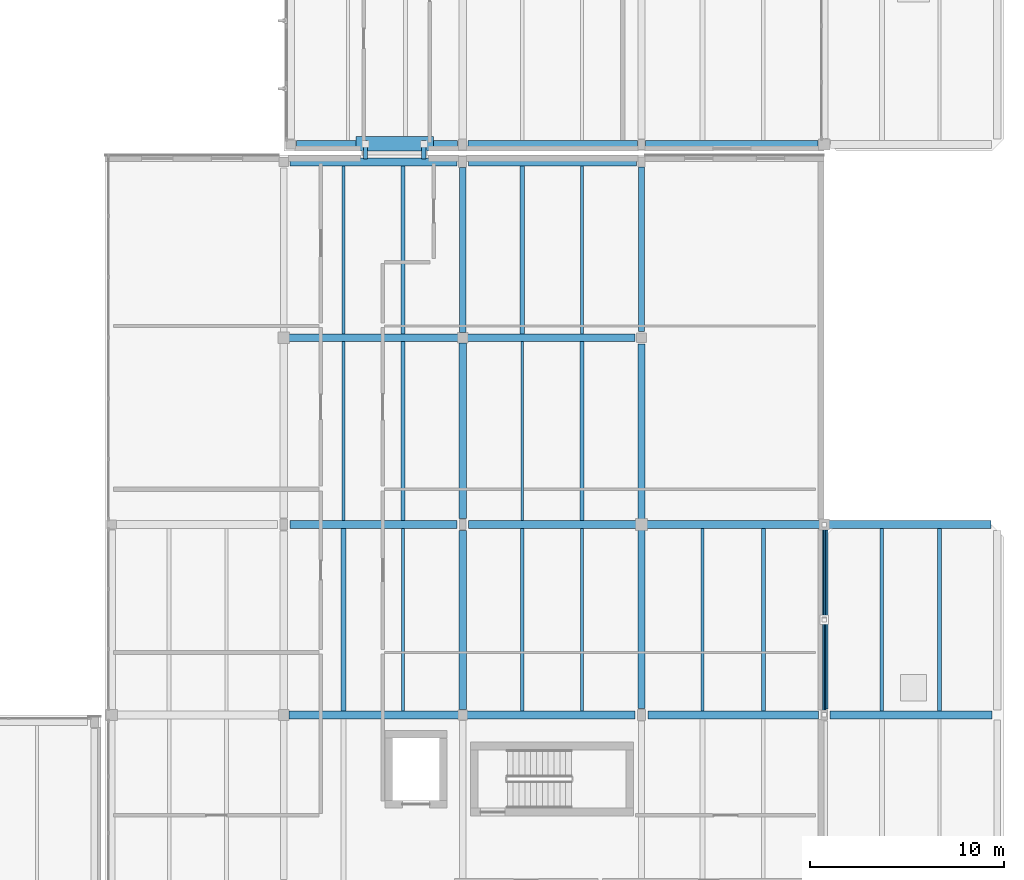
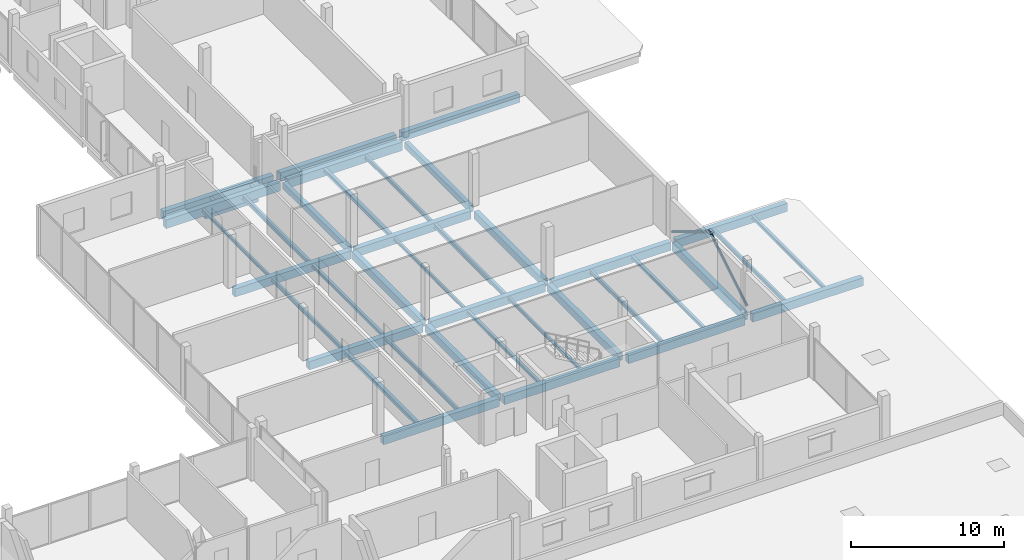
# One storey, part 26 of 66: 41 beams, 2 members.
"""IFC4 building model written with IfcOpenShell, lengths in metres."""

from ifc_helpers import new_model, si_unit, direction, frame, origin, origin_2d, place, context, subcontext, project, spatial, rectangle, hollow_circle, i_section, extrude, material, material_profile, profile_set, type_object, element, save


model = new_model("IFC4")

# Units and contexts
model_context = context("Model", 3, precision=1e-05, world=origin(), true_north=direction((0.0, 1.0)))
body_context = subcontext(model_context, "Body", "Model", "MODEL_VIEW")
ifc_project = project(units=[si_unit("LENGTHUNIT", "METRE"), si_unit("AREAUNIT", "SQUARE_METRE"), si_unit("VOLUMEUNIT", "CUBIC_METRE"), si_unit("PLANEANGLEUNIT", "RADIAN"), si_unit("MASSUNIT", "GRAM", prefix="KILO")], contexts=[model_context])

# Site, building, storey
site_placement = place(None, origin())
site = spatial("IfcSite", under=ifc_project, at=site_placement, CompositionType="ELEMENT")
building_placement = place(site_placement, origin())
building = spatial("IfcBuilding", under=site, at=building_placement, Name="Birchvale Park Specialist Clinic", CompositionType="ELEMENT")
storey_placement = place(building_placement, frame((0.0, 0.0, 5.39990234375)))
storey = spatial("IfcBuildingStorey", under=building, at=storey_placement, Name="L01", CompositionType="ELEMENT", Elevation=5.39990234375)

# Beams
ifc_material_1 = material(Name="Concrete C40/50", Category="concrete")
ifc_material_profile_1 = material_profile(ifc_material_1, rectangle(XDim=0.39990234375, YDim=0.68994140625, at=origin_2d()), Name="RCB-400x690")
ifc_profile_set_1 = profile_set([ifc_material_profile_1], Name="Concrete C40/50")
beam_type_1 = type_object("IfcBeamType", Name="BM-EXT-BG4", PredefinedType="BEAM", material=ifc_profile_set_1)
beam_1_placement = place(storey_placement, frame((128.31494140625, 63.050048828125, -0.64501953125), z_axis=(1.0, 0.0, 0.0), x_axis=(0.0, 1.0, 0.0)))
element("IfcBeam", 1, at=beam_1_placement, inside=storey, type_object=beam_type_1, Name="V5 L01 X girder 33", PredefinedType="BEAM", context=body_context, shape_type="SweptSolid", body=[
    extrude(rectangle(XDim=0.39990234375, YDim=0.68994140625, at=origin_2d()), origin(), (0.0, 0.0, 1.0), 8.594970703125),
])
beam_2_placement = place(storey_placement, frame((137.489990234375, 63.050048828125, -0.64501953125), z_axis=(1.0, 0.0, 0.0), x_axis=(0.0, 1.0, 0.0)))
element("IfcBeam", 2, at=beam_2_placement, inside=storey, type_object=beam_type_1, Name="V5 L01 X girder 34", PredefinedType="BEAM", context=body_context, shape_type="SweptSolid", body=[
    extrude(rectangle(XDim=0.39990234375, YDim=0.68994140625, at=origin_2d()), origin(), (0.0, 0.0, 1.0), 8.64501953125),
])
beam_3_placement = place(storey_placement, frame((128.639892578125, 63.949951171875, -0.64501953125), z_axis=(1.0, 0.0, 0.0), x_axis=(0.0, 1.0, 0.0)))
element("IfcBeam", 3, at=beam_3_placement, inside=storey, type_object=beam_type_1, Name="V6 L01 X girder 1", PredefinedType="BEAM", context=body_context, shape_type="SweptSolid", body=[
    extrude(rectangle(XDim=0.39990234375, YDim=0.68994140625, at=origin_2d()), origin(), (0.0, 0.0, 1.0), 8.295166015625),
])
beam_4_placement = place(storey_placement, frame((137.465087890625, 63.949951171875, -0.64501953125), z_axis=(1.0, 0.0, 0.0), x_axis=(0.0, 1.0, 0.0)))
element("IfcBeam", 4, at=beam_4_placement, inside=storey, type_object=beam_type_1, Name="V6 L01 X girder 2", PredefinedType="BEAM", context=body_context, shape_type="SweptSolid", body=[
    extrude(rectangle(XDim=0.39990234375, YDim=0.68994140625, at=origin_2d()), origin(), (0.0, 0.0, 1.0), 8.724853515625),
])
beam_5_placement = place(storey_placement, frame((146.610107421875, 63.949951171875, -0.64501953125), z_axis=(1.0, 0.0, 0.0), x_axis=(0.0, 1.0, 0.0)))
element("IfcBeam", 5, at=beam_5_placement, inside=storey, type_object=beam_type_1, Name="V6 L01 X girder 3", PredefinedType="BEAM", context=body_context, shape_type="SweptSolid", body=[
    extrude(rectangle(XDim=0.39990234375, YDim=0.68994140625, at=origin_2d()), origin(), (0.0, 0.0, 1.0), 8.875),
])
ifc_material_profile_2 = material_profile(ifc_material_1, rectangle(XDim=0.3798828125, YDim=0.639892578125, at=origin_2d()), Name="RCB-380x640")
ifc_profile_set_2 = profile_set([ifc_material_profile_2], Name="Concrete C40/50")
beam_type_2 = type_object("IfcBeamType", Name="BM-EXT-BG5", PredefinedType="BEAM", material=ifc_profile_set_2)
beam_6_placement = place(storey_placement, frame((155.800048828125, 34.89990234375, -0.619873046875), z_axis=(0.0, 1.0, 0.0), x_axis=(-1.0, 0.0, 0.0)))
element("IfcBeam", 6, at=beam_6_placement, inside=storey, type_object=beam_type_2, Name="V5 L01 Y girder 65", PredefinedType="BEAM", context=body_context, shape_type="SweptSolid", body=[
    extrude(rectangle(XDim=0.3798828125, YDim=0.639892578125, at=origin_2d()), origin(), (0.0, 0.0, 1.0), 9.22509765625),
])
ifc_material_profile_3 = material_profile(ifc_material_1, rectangle(XDim=0.760009765625, YDim=0.889892578125, at=origin_2d()), Name="RCB-760x890")
ifc_profile_set_3 = profile_set([ifc_material_profile_3], Name="Concrete C40/50")
beam_type_3 = type_object("IfcBeamType", Name="BM-EXT-RB2", PredefinedType="BEAM", material=ifc_profile_set_3)
beam_7_placement = place(storey_placement, frame((131.699951171875, 63.97998046875, -1.431884765625), z_axis=(1.0, 0.0, 0.0), x_axis=(0.0, 1.0, 0.0)))
element("IfcBeam", 7, at=beam_7_placement, inside=storey, type_object=beam_type_3, Name="L01 seismic joint RC corbel seat 760 mm BRG-4", PredefinedType="BEAM", context=body_context, shape_type="SweptSolid", body=[
    extrude(rectangle(XDim=0.760009765625, YDim=0.889892578125, at=origin_2d()), origin(), (0.0, 0.0, 1.0), 4.0),
])
ifc_material_profile_4 = material_profile(ifc_material_1, rectangle(XDim=0.39990234375, YDim=0.64990234375, at=origin_2d()), Name="RCB-400x650")
ifc_profile_set_4 = profile_set([ifc_material_profile_4], Name="Concrete C40/50")
beam_type_4 = type_object("IfcBeamType", Name="BM-INT-BG4", PredefinedType="BEAM", material=ifc_profile_set_4)
beam_8_placement = place(storey_placement, frame((128.27490234375, 34.60009765625, -0.625), z_axis=(1.0, 0.0, 0.0), x_axis=(0.0, 1.0, 0.0)))
element("IfcBeam", 8, at=beam_8_placement, inside=storey, type_object=beam_type_4, Name="V5 L01 X girder 22", PredefinedType="BEAM", context=body_context, shape_type="SweptSolid", body=[
    extrude(rectangle(XDim=0.39990234375, YDim=0.64990234375, at=origin_2d()), origin(), (0.0, 0.0, 1.0), 8.72509765625),
])
beam_9_placement = place(storey_placement, frame((137.39990234375, 34.60009765625, -0.625), z_axis=(1.0, 0.0, 0.0), x_axis=(0.0, 1.0, 0.0)))
element("IfcBeam", 9, at=beam_9_placement, inside=storey, type_object=beam_type_4, Name="V5 L01 X girder 23", PredefinedType="BEAM", context=body_context, shape_type="SweptSolid", body=[
    extrude(rectangle(XDim=0.39990234375, YDim=0.64990234375, at=origin_2d()), origin(), (0.0, 0.0, 1.0), 8.675048828125),
])
beam_10_placement = place(storey_placement, frame((146.72509765625, 34.60009765625, -0.625), z_axis=(1.0, 0.0, 0.0), x_axis=(0.0, 1.0, 0.0)))
element("IfcBeam", 10, at=beam_10_placement, inside=storey, type_object=beam_type_4, Name="V5 L01 X girder 24", PredefinedType="BEAM", context=body_context, shape_type="SweptSolid", body=[
    extrude(rectangle(XDim=0.39990234375, YDim=0.64990234375, at=origin_2d()), origin(), (0.0, 0.0, 1.0), 8.77490234375),
])
beam_11_placement = place(storey_placement, frame((156.10009765625, 34.60009765625, -0.599853515625), z_axis=(1.0, 0.0, 0.0), x_axis=(0.0, 1.0, 0.0)))
element("IfcBeam", 11, at=beam_11_placement, inside=storey, type_object=beam_type_4, Name="V5 L01 X girder 25", PredefinedType="BEAM", context=body_context, shape_type="SweptSolid", body=[
    extrude(rectangle(XDim=0.39990234375, YDim=0.64990234375, at=origin_2d()), origin(), (0.0, 0.0, 1.0), 8.3349609375),
])
beam_12_placement = place(storey_placement, frame((128.324951171875, 44.39990234375, -0.625), z_axis=(1.0, 0.0, 0.0), x_axis=(0.0, 1.0, 0.0)))
element("IfcBeam", 12, at=beam_12_placement, inside=storey, type_object=beam_type_4, Name="V5 L01 X girder 27", PredefinedType="BEAM", context=body_context, shape_type="SweptSolid", body=[
    extrude(rectangle(XDim=0.39990234375, YDim=0.64990234375, at=origin_2d()), origin(), (0.0, 0.0, 1.0), 8.574951171875),
])
beam_13_placement = place(storey_placement, frame((137.5, 44.39990234375, -0.625), z_axis=(1.0, 0.0, 0.0), x_axis=(0.0, 1.0, 0.0)))
element("IfcBeam", 13, at=beam_13_placement, inside=storey, type_object=beam_type_4, Name="V5 L01 X girder 28", PredefinedType="BEAM", context=body_context, shape_type="SweptSolid", body=[
    extrude(rectangle(XDim=0.39990234375, YDim=0.64990234375, at=origin_2d()), origin(), (0.0, 0.0, 1.0), 8.625),
])
beam_14_placement = place(storey_placement, frame((146.675048828125, 44.39990234375, -0.625), z_axis=(1.0, 0.0, 0.0), x_axis=(0.0, 1.0, 0.0)))
element("IfcBeam", 14, at=beam_14_placement, inside=storey, type_object=beam_type_4, Name="V5 L01 X girder 29", PredefinedType="BEAM", context=body_context, shape_type="SweptSolid", body=[
    extrude(rectangle(XDim=0.39990234375, YDim=0.64990234375, at=origin_2d()), origin(), (0.0, 0.0, 1.0), 8.925048828125),
])
beam_15_placement = place(storey_placement, frame((156.0, 44.39990234375, -0.599853515625), z_axis=(1.0, 0.0, 0.0), x_axis=(0.0, 1.0, 0.0)))
element("IfcBeam", 15, at=beam_15_placement, inside=storey, type_object=beam_type_4, Name="V5 L01 X girder 30", PredefinedType="BEAM", context=body_context, shape_type="SweptSolid", body=[
    extrude(rectangle(XDim=0.39990234375, YDim=0.64990234375, at=origin_2d()), origin(), (0.0, 0.0, 1.0), 8.385009765625),
])
beam_16_placement = place(storey_placement, frame((128.27490234375, 54.0, -0.625), z_axis=(1.0, 0.0, 0.0), x_axis=(0.0, 1.0, 0.0)))
element("IfcBeam", 16, at=beam_16_placement, inside=storey, type_object=beam_type_4, Name="V5 L01 X girder 31", PredefinedType="BEAM", context=body_context, shape_type="SweptSolid", body=[
    extrude(rectangle(XDim=0.39990234375, YDim=0.64990234375, at=origin_2d()), origin(), (0.0, 0.0, 1.0), 8.72509765625),
])
beam_17_placement = place(storey_placement, frame((137.39990234375, 54.0, -0.625), z_axis=(1.0, 0.0, 0.0), x_axis=(0.0, 1.0, 0.0)))
element("IfcBeam", 17, at=beam_17_placement, inside=storey, type_object=beam_type_4, Name="V5 L01 X girder 32", PredefinedType="BEAM", context=body_context, shape_type="SweptSolid", body=[
    extrude(rectangle(XDim=0.39990234375, YDim=0.64990234375, at=origin_2d()), origin(), (0.0, 0.0, 1.0), 8.675048828125),
])
ifc_material_profile_5 = material_profile(ifc_material_1, rectangle(XDim=0.3798828125, YDim=0.60009765625, at=origin_2d()), Name="RCB-380x600")
ifc_profile_set_5 = profile_set([ifc_material_profile_5], Name="Concrete C40/50")
beam_type_5 = type_object("IfcBeamType", Name="BM-INT-BG5", PredefinedType="BEAM", material=ifc_profile_set_5)
beam_18_placement = place(storey_placement, frame((137.199951171875, 34.875, -0.599853515625), z_axis=(0.0, 1.0, 0.0), x_axis=(-1.0, 0.0, 0.0)))
element("IfcBeam", 18, at=beam_18_placement, inside=storey, type_object=beam_type_5, Name="V5 L01 Y girder 51", PredefinedType="BEAM", context=body_context, shape_type="SweptSolid", body=[
    extrude(rectangle(XDim=0.3798828125, YDim=0.60009765625, at=origin_2d()), origin(), (0.0, 0.0, 1.0), 9.22509765625),
])
beam_19_placement = place(storey_placement, frame((137.199951171875, 44.699951171875, -0.599853515625), z_axis=(0.0, 1.0, 0.0), x_axis=(-1.0, 0.0, 0.0)))
element("IfcBeam", 19, at=beam_19_placement, inside=storey, type_object=beam_type_5, Name="V5 L01 Y girder 52", PredefinedType="BEAM", context=body_context, shape_type="SweptSolid", body=[
    extrude(rectangle(XDim=0.3798828125, YDim=0.60009765625, at=origin_2d()), origin(), (0.0, 0.0, 1.0), 9.025146484375),
])
beam_20_placement = place(storey_placement, frame((146.39990234375, 34.925048828125, -0.599853515625), z_axis=(0.0, 1.0, 0.0), x_axis=(-1.0, 0.0, 0.0)))
element("IfcBeam", 20, at=beam_20_placement, inside=storey, type_object=beam_type_5, Name="V5 L01 Y girder 58", PredefinedType="BEAM", context=body_context, shape_type="SweptSolid", body=[
    extrude(rectangle(XDim=0.3798828125, YDim=0.60009765625, at=origin_2d()), origin(), (0.0, 0.0, 1.0), 9.199951171875),
])
beam_21_placement = place(storey_placement, frame((146.39990234375, 44.675048828125, -0.599853515625), z_axis=(0.0, 1.0, 0.0), x_axis=(-1.0, 0.0, 0.0)))
element("IfcBeam", 21, at=beam_21_placement, inside=storey, type_object=beam_type_5, Name="V5 L01 Y girder 59", PredefinedType="BEAM", context=body_context, shape_type="SweptSolid", body=[
    extrude(rectangle(XDim=0.3798828125, YDim=0.60009765625, at=origin_2d()), origin(), (0.0, 0.0, 1.0), 9.0),
])
ifc_material_profile_6 = material_profile(ifc_material_1, rectangle(XDim=0.320068359375, YDim=0.5, at=origin_2d()), Name="RCB-320x500")
ifc_profile_set_6 = profile_set([ifc_material_profile_6], Name="Concrete C40/50")
beam_type_6 = type_object("IfcBeamType", Name="BM-INT-BG7", PredefinedType="BEAM", material=ifc_profile_set_6)
beam_22_placement = place(storey_placement, frame((137.199951171875, 54.27490234375, -0.5498046875), z_axis=(0.0, 1.0, 0.0), x_axis=(-1.0, 0.0, 0.0)))
element("IfcBeam", 22, at=beam_22_placement, inside=storey, type_object=beam_type_6, Name="V5 L01 Y girder 53", PredefinedType="BEAM", context=body_context, shape_type="SweptSolid", body=[
    extrude(rectangle(XDim=0.320068359375, YDim=0.5, at=origin_2d()), origin(), (0.0, 0.0, 1.0), 8.485107421875),
])
beam_23_placement = place(storey_placement, frame((146.39990234375, 54.324951171875, -0.5498046875), z_axis=(0.0, 1.0, 0.0), x_axis=(-1.0, 0.0, 0.0)))
element("IfcBeam", 23, at=beam_23_placement, inside=storey, type_object=beam_type_6, Name="V5 L01 Y girder 60", PredefinedType="BEAM", context=body_context, shape_type="SweptSolid", body=[
    extrude(rectangle(XDim=0.320068359375, YDim=0.5, at=origin_2d()), origin(), (0.0, 0.0, 1.0), 8.4599609375),
])

# Members
ifc_material_2 = material(Name="Steel EN 10210 S355", Category="steel")
ifc_material_profile_7 = material_profile(ifc_material_2, hollow_circle(Radius=0.096923828125, WallThickness=0.008056640625, at=origin_2d()), Name="CHS193.7X8")
ifc_profile_set_7 = profile_set([ifc_material_profile_7], Name="Steel EN 10210 S355")
member_type = type_object("IfcMemberType", Name="MEM-BR3", PredefinedType="BRACE", material=ifc_profile_set_7)
for number, where, z_axis, x_axis, name in (
    (24, (155.800048828125, 34.625732421875, 0.36572265625), (0.0, 0.855185685249, 0.518321756966), (-1.0, 0.0, 0.0), "V5 L01 chevron steel brace 10.1"),
    (25, (155.800048828125, 44.374267578125, 0.36572265625), (0.0, -0.855185685249, 0.518321756966), (1.0, 0.0, 0.0), "V5 L01 chevron steel brace 10.2"),
):
    element("IfcMember", number, at=place(storey_placement, frame(where, z_axis=z_axis, x_axis=x_axis)), inside=storey, type_object=member_type, Name=name, PredefinedType="BRACE", context=body_context, shape_type="SweptSolid", body=[
        extrude(hollow_circle(Radius=0.096923828125, WallThickness=0.008056640625, at=origin_2d()), origin(), (0.0, 0.0, 1.0), 5.669677734375),
    ])

# Beams
ifc_material_3 = material(Name="Steel ASTM A992 Grade 50", Category="steel")
ifc_material_profile_8 = material_profile(ifc_material_3, i_section(OverallWidth=0.22900390625, OverallDepth=0.612060546875, WebThickness=0.011962890625, FlangeThickness=0.01953125, at=origin_2d()), Name="W24X84")
ifc_profile_set_8 = profile_set([ifc_material_profile_8], Name="Steel ASTM A992 Grade 50")
beam_type_7 = type_object("IfcBeamType", Name="STL-EXT-SB2", PredefinedType="BEAM", material=ifc_profile_set_8)
for number, where, z_axis, x_axis, name in (
    (26, (132.199951171875, 63.2099609375, -0.6708984375), (0.0, 1.0, 0.0), (-1.0, 0.0, 0.0), "L01 link bridge girder BRG-4.1"),
    (27, (135.199951171875, 63.2099609375, -0.6708984375), (0.0, 1.0, 0.0), (-1.0, 0.0, 0.0), "L01 link bridge girder BRG-4.2"),
):
    element("IfcBeam", number, at=place(storey_placement, frame(where, z_axis=z_axis, x_axis=x_axis)), inside=storey, type_object=beam_type_7, Name=name, PredefinedType="BEAM", context=body_context, shape_type="SweptSolid", body=[
        extrude(i_section(OverallWidth=0.22900390625, OverallDepth=0.612060546875, WebThickness=0.011962890625, FlangeThickness=0.01953125, at=origin_2d()), origin(), (0.0, 0.0, 1.0), 0.949951171875),
    ])
ifc_material_profile_9 = material_profile(ifc_material_3, i_section(OverallWidth=0.2041015625, OverallDepth=0.35107421875, WebThickness=0.008544921875, FlangeThickness=0.01513671875, at=origin_2d()), Name="W14X48")
ifc_profile_set_9 = profile_set([ifc_material_profile_9], Name="Steel ASTM A992 Grade 50")
beam_type_8 = type_object("IfcBeamType", Name="STL-INT-SJ1", PredefinedType="JOIST", material=ifc_profile_set_9)
beam_24_placement = place(storey_placement, frame((134.13330078125, 54.199951171875, -0.475341796875), z_axis=(0.0, 1.0, 0.0), x_axis=(-1.0, 0.0, 0.0)))
element("IfcBeam", 28, at=beam_24_placement, inside=storey, type_object=beam_type_8, Name="V5 L01 secondary floor joist 22", PredefinedType="JOIST", context=body_context, shape_type="SweptSolid", body=[
    extrude(i_section(OverallWidth=0.2041015625, OverallDepth=0.35107421875, WebThickness=0.008544921875, FlangeThickness=0.01513671875, at=origin_2d()), origin(), (0.0, 0.0, 1.0), 8.650146484375),
])
beam_25_placement = place(storey_placement, frame((143.333251953125, 44.60009765625, -0.475341796875), z_axis=(0.0, 1.0, 0.0), x_axis=(-1.0, 0.0, 0.0)))
element("IfcBeam", 29, at=beam_25_placement, inside=storey, type_object=beam_type_8, Name="V5 L01 secondary floor joist 32", PredefinedType="JOIST", context=body_context, shape_type="SweptSolid", body=[
    extrude(i_section(OverallWidth=0.2041015625, OverallDepth=0.35107421875, WebThickness=0.008544921875, FlangeThickness=0.01513671875, at=origin_2d()), origin(), (0.0, 0.0, 1.0), 9.199951171875),
])
ifc_material_profile_10 = material_profile(ifc_material_3, i_section(OverallWidth=0.25390625, OverallDepth=0.305908203125, WebThickness=0.0087890625, FlangeThickness=0.0146484375, at=origin_2d()), Name="W12X53")
ifc_profile_set_10 = profile_set([ifc_material_profile_10], Name="Steel ASTM A992 Grade 50")
beam_type_9 = type_object("IfcBeamType", Name="STL-INT-SJ2", PredefinedType="JOIST", material=ifc_profile_set_10)
beam_26_placement = place(storey_placement, frame((131.066650390625, 34.800048828125, -0.452880859375), z_axis=(0.0, 1.0, 0.0), x_axis=(-1.0, 0.0, 0.0)))
element("IfcBeam", 30, at=beam_26_placement, inside=storey, type_object=beam_type_9, Name="V5 L01 secondary floor joist 17", PredefinedType="JOIST", context=body_context, shape_type="SweptSolid", body=[
    extrude(i_section(OverallWidth=0.25390625, OverallDepth=0.305908203125, WebThickness=0.0087890625, FlangeThickness=0.0146484375, at=origin_2d()), origin(), (0.0, 0.0, 1.0), 9.39990234375),
])
beam_27_placement = place(storey_placement, frame((140.2666015625, 54.199951171875, -0.452880859375), z_axis=(0.0, 1.0, 0.0), x_axis=(-1.0, 0.0, 0.0)))
element("IfcBeam", 31, at=beam_27_placement, inside=storey, type_object=beam_type_9, Name="V5 L01 secondary floor joist 33", PredefinedType="JOIST", context=body_context, shape_type="SweptSolid", body=[
    extrude(i_section(OverallWidth=0.25390625, OverallDepth=0.305908203125, WebThickness=0.0087890625, FlangeThickness=0.0146484375, at=origin_2d()), origin(), (0.0, 0.0, 1.0), 8.650146484375),
])
ifc_material_profile_11 = material_profile(ifc_material_3, i_section(OverallWidth=0.1669921875, OverallDepth=0.31689453125, WebThickness=0.007568359375, FlangeThickness=0.01318359375, at=origin_2d()), Name="W12X35")
ifc_profile_set_11 = profile_set([ifc_material_profile_11], Name="Steel ASTM A992 Grade 50")
beam_type_10 = type_object("IfcBeamType", Name="STL-INT-SJ3", PredefinedType="JOIST", material=ifc_profile_set_11)
beam_28_placement = place(storey_placement, frame((134.13330078125, 34.800048828125, -0.45849609375), z_axis=(0.0, 1.0, 0.0), x_axis=(-1.0, 0.0, 0.0)))
element("IfcBeam", 32, at=beam_28_placement, inside=storey, type_object=beam_type_10, Name="V5 L01 secondary floor joist 18", PredefinedType="JOIST", context=body_context, shape_type="SweptSolid", body=[
    extrude(i_section(OverallWidth=0.1669921875, OverallDepth=0.31689453125, WebThickness=0.007568359375, FlangeThickness=0.01318359375, at=origin_2d()), origin(), (0.0, 0.0, 1.0), 9.39990234375),
])
beam_29_placement = place(storey_placement, frame((131.066650390625, 44.60009765625, -0.45849609375), z_axis=(0.0, 1.0, 0.0), x_axis=(-1.0, 0.0, 0.0)))
element("IfcBeam", 33, at=beam_29_placement, inside=storey, type_object=beam_type_10, Name="V5 L01 secondary floor joist 19", PredefinedType="JOIST", context=body_context, shape_type="SweptSolid", body=[
    extrude(i_section(OverallWidth=0.1669921875, OverallDepth=0.31689453125, WebThickness=0.007568359375, FlangeThickness=0.01318359375, at=origin_2d()), origin(), (0.0, 0.0, 1.0), 9.199951171875),
])
beam_30_placement = place(storey_placement, frame((143.333251953125, 54.199951171875, -0.45849609375), z_axis=(0.0, 1.0, 0.0), x_axis=(-1.0, 0.0, 0.0)))
element("IfcBeam", 34, at=beam_30_placement, inside=storey, type_object=beam_type_10, Name="V5 L01 secondary floor joist 34", PredefinedType="JOIST", context=body_context, shape_type="SweptSolid", body=[
    extrude(i_section(OverallWidth=0.1669921875, OverallDepth=0.31689453125, WebThickness=0.007568359375, FlangeThickness=0.01318359375, at=origin_2d()), origin(), (0.0, 0.0, 1.0), 8.650146484375),
])
for number, where, z_axis, x_axis, name in (
    (35, (149.533203125, 34.800048828125, -0.45849609375), (0.0, 1.0, 0.0), (-1.0, 0.0, 0.0), "V5 L01 secondary floor joist 43"),
    (36, (158.7666015625, 34.800048828125, -0.433349609375), (0.0, 1.0, 0.0), (-1.0, 0.0, 0.0), "V5 L01 secondary floor joist 53"),
):
    element("IfcBeam", number, at=place(storey_placement, frame(where, z_axis=z_axis, x_axis=x_axis)), inside=storey, type_object=beam_type_10, Name=name, PredefinedType="JOIST", context=body_context, shape_type="SweptSolid", body=[
        extrude(i_section(OverallWidth=0.1669921875, OverallDepth=0.31689453125, WebThickness=0.007568359375, FlangeThickness=0.01318359375, at=origin_2d()), origin(), (0.0, 0.0, 1.0), 9.39990234375),
    ])
ifc_material_profile_12 = material_profile(ifc_material_3, i_section(OverallWidth=0.202880859375, OverallDepth=0.251953125, WebThickness=0.008056640625, FlangeThickness=0.013427734375, at=origin_2d()), Name="W10X39")
ifc_profile_set_12 = profile_set([ifc_material_profile_12], Name="Steel ASTM A992 Grade 50")
beam_type_11 = type_object("IfcBeamType", Name="STL-INT-SJ4", PredefinedType="JOIST", material=ifc_profile_set_12)
beam_31_placement = place(storey_placement, frame((134.13330078125, 44.60009765625, -0.42578125), z_axis=(0.0, 1.0, 0.0), x_axis=(-1.0, 0.0, 0.0)))
element("IfcBeam", 37, at=beam_31_placement, inside=storey, type_object=beam_type_11, Name="V5 L01 secondary floor joist 20", PredefinedType="JOIST", context=body_context, shape_type="SweptSolid", body=[
    extrude(i_section(OverallWidth=0.202880859375, OverallDepth=0.251953125, WebThickness=0.008056640625, FlangeThickness=0.013427734375, at=origin_2d()), origin(), (0.0, 0.0, 1.0), 9.199951171875),
])
for number, where, z_axis, x_axis, name in (
    (38, (140.2666015625, 34.800048828125, -0.42578125), (0.0, 1.0, 0.0), (-1.0, 0.0, 0.0), "V5 L01 secondary floor joist 29"),
    (39, (152.666748046875, 34.800048828125, -0.42578125), (0.0, 1.0, 0.0), (-1.0, 0.0, 0.0), "V5 L01 secondary floor joist 44"),
    (40, (161.7333984375, 34.800048828125, -0.40087890625), (0.0, 1.0, 0.0), (-1.0, 0.0, 0.0), "V5 L01 secondary floor joist 54"),
):
    element("IfcBeam", number, at=place(storey_placement, frame(where, z_axis=z_axis, x_axis=x_axis)), inside=storey, type_object=beam_type_11, Name=name, PredefinedType="JOIST", context=body_context, shape_type="SweptSolid", body=[
        extrude(i_section(OverallWidth=0.202880859375, OverallDepth=0.251953125, WebThickness=0.008056640625, FlangeThickness=0.013427734375, at=origin_2d()), origin(), (0.0, 0.0, 1.0), 9.39990234375),
    ])
ifc_material_profile_13 = material_profile(ifc_material_3, i_section(OverallWidth=0.14697265625, OverallDepth=0.261962890625, WebThickness=0.006591796875, FlangeThickness=0.01123046875, at=origin_2d()), Name="W10X26")
ifc_profile_set_13 = profile_set([ifc_material_profile_13], Name="Steel ASTM A992 Grade 50")
beam_type_12 = type_object("IfcBeamType", Name="STL-INT-SJ5", PredefinedType="JOIST", material=ifc_profile_set_13)
beam_32_placement = place(storey_placement, frame((131.066650390625, 54.199951171875, -0.430908203125), z_axis=(0.0, 1.0, 0.0), x_axis=(-1.0, 0.0, 0.0)))
element("IfcBeam", 41, at=beam_32_placement, inside=storey, type_object=beam_type_12, Name="V5 L01 secondary floor joist 21", PredefinedType="JOIST", context=body_context, shape_type="SweptSolid", body=[
    extrude(i_section(OverallWidth=0.14697265625, OverallDepth=0.261962890625, WebThickness=0.006591796875, FlangeThickness=0.01123046875, at=origin_2d()), origin(), (0.0, 0.0, 1.0), 8.650146484375),
])
beam_33_placement = place(storey_placement, frame((143.333251953125, 34.800048828125, -0.430908203125), z_axis=(0.0, 1.0, 0.0), x_axis=(-1.0, 0.0, 0.0)))
element("IfcBeam", 42, at=beam_33_placement, inside=storey, type_object=beam_type_12, Name="V5 L01 secondary floor joist 30", PredefinedType="JOIST", context=body_context, shape_type="SweptSolid", body=[
    extrude(i_section(OverallWidth=0.14697265625, OverallDepth=0.261962890625, WebThickness=0.006591796875, FlangeThickness=0.01123046875, at=origin_2d()), origin(), (0.0, 0.0, 1.0), 9.39990234375),
])
beam_34_placement = place(storey_placement, frame((140.2666015625, 44.60009765625, -0.430908203125), z_axis=(0.0, 1.0, 0.0), x_axis=(-1.0, 0.0, 0.0)))
element("IfcBeam", 43, at=beam_34_placement, inside=storey, type_object=beam_type_12, Name="V5 L01 secondary floor joist 31", PredefinedType="JOIST", context=body_context, shape_type="SweptSolid", body=[
    extrude(i_section(OverallWidth=0.14697265625, OverallDepth=0.261962890625, WebThickness=0.006591796875, FlangeThickness=0.01123046875, at=origin_2d()), origin(), (0.0, 0.0, 1.0), 9.199951171875),
])

save(model, "model.ifc")
